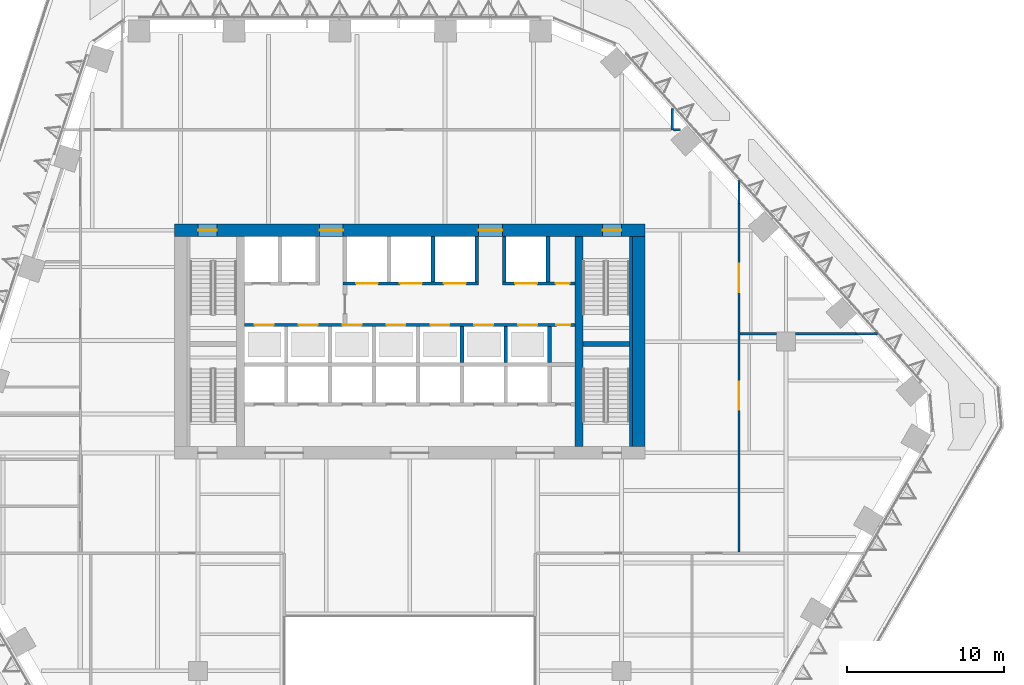
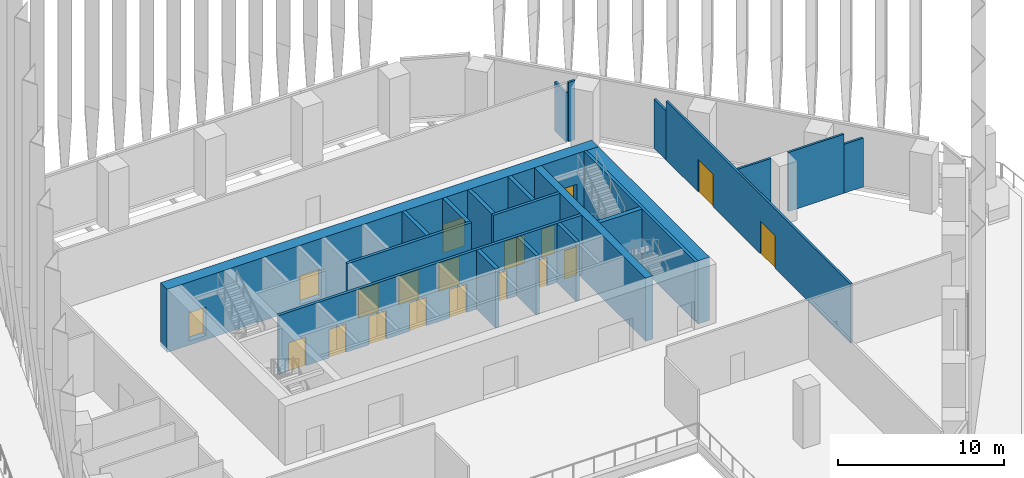
# One storey, part 15 of 27: 22 walls, 19 doors, 19 openings.
"""IFC4 building model written with IfcOpenShell, lengths in metres."""

from ifc_helpers import new_model, si_unit, direction, frame, frame_2d, origin, place, context, subcontext, project, spatial, rectangle, extrude, material, layer, layer_set, type_object, element, fill, save


model = new_model("IFC4")

# Units and contexts
model_context = context("Model", 3, precision=1e-05, world=origin(), true_north=direction((0.0, 1.0)))
body_context = subcontext(model_context, "Body", "Model", "MODEL_VIEW")
ifc_project = project(units=[si_unit("LENGTHUNIT", "METRE"), si_unit("AREAUNIT", "SQUARE_METRE"), si_unit("VOLUMEUNIT", "CUBIC_METRE"), si_unit("PLANEANGLEUNIT", "RADIAN"), si_unit("MASSUNIT", "GRAM", prefix="KILO")], contexts=[model_context])

# Site, building, storey
site_placement = place(None, origin())
site = spatial("IfcSite", under=ifc_project, at=site_placement, CompositionType="ELEMENT")
building_placement = place(site_placement, origin())
building = spatial("IfcBuilding", under=site, at=building_placement, Name="Isthmus Gate Tower", CompositionType="ELEMENT")
storey_placement = place(building_placement, frame((0.0, 0.0, 121.64990234375)))
storey = spatial("IfcBuildingStorey", under=building, at=storey_placement, Name="L29", CompositionType="ELEMENT", Elevation=121.64990234375)

# Walls
ifc_material_1 = material(Name="Gypsum board on cold-formed steel studs", Category="steel")
ifc_layer_1 = layer(ifc_material_1, 0.14990234375)
ifc_layer_set_1 = layer_set([ifc_layer_1])
wall_type_1 = type_object("IfcWallType", Name="Partition 150 gypsum board on steel studs", PredefinedType="PARTITIONING", material=ifc_layer_set_1)
wall_1_placement = place(storey_placement, frame((21.074951171875, 8.0, 0.0), z_axis=(0.0, 0.0, 1.0), x_axis=(1.0, 0.0, 0.0)))
element("IfcWall", 1, at=wall_1_placement, inside=storey, type_object=wall_type_1, Name="Partition", PredefinedType="PARTITIONING", context=body_context, shape_type="SweptSolid", body=[
    extrude(rectangle(XDim=2.324951171875, YDim=0.14990234375, at=frame_2d((1.16259765625, 0.0))), origin(), (0.0, 0.0, 1.0), 4.35009765625),
])
wall_2_placement = place(storey_placement, frame((24.60009765625, 8.0, 0.0), z_axis=(0.0, 0.0, 1.0), x_axis=(1.0, 0.0, 0.0)))
element("IfcWall", 2, at=wall_2_placement, inside=storey, type_object=wall_type_1, Name="Partition", PredefinedType="PARTITIONING", context=body_context, shape_type="SweptSolid", body=[
    extrude(rectangle(XDim=3.87353515625, YDim=0.14990234375, at=frame_2d((1.936767578125, 0.0))), origin(), (0.0, 0.0, 1.0), 4.35009765625),
])
wall_3_placement = place(storey_placement, frame((28.4736328125, 8.0, 0.0), z_axis=(0.0, 0.0, 1.0), x_axis=(1.0, 0.0, 0.0)))
element("IfcWall", 3, at=wall_3_placement, inside=storey, type_object=wall_type_1, Name="Partition", PredefinedType="PARTITIONING", context=body_context, shape_type="SweptSolid", body=[
    extrude(rectangle(XDim=1.347412109375, YDim=0.14990234375, at=frame_2d((0.673828125, 0.0))), origin(), (0.0, 0.0, 1.0), 3.60009765625),
])
wall_4_placement = place(storey_placement, frame((16.804931640625, 21.0, 0.0), z_axis=(0.0, 0.0, 1.0), x_axis=(1.0, 0.0, 0.0)))
element("IfcWall", 4, at=wall_4_placement, inside=storey, type_object=wall_type_1, Name="Partition", PredefinedType="PARTITIONING", context=body_context, shape_type="SweptSolid", body=[
    extrude(rectangle(XDim=0.461181640625, YDim=0.14990234375, at=frame_2d((0.23046875, 0.0))), origin(), (0.0, 0.0, 1.0), 4.35009765625),
])
wall_5_placement = place(storey_placement, frame((16.72998046875, 21.0009765625, 0.0), z_axis=(0.0, 0.0, 1.0), x_axis=(0.0, 1.0, 0.0)))
element("IfcWall", 5, at=wall_5_placement, inside=storey, type_object=wall_type_1, Name="Partition", PredefinedType="PARTITIONING", context=body_context, shape_type="SweptSolid", body=[
    extrude(rectangle(XDim=1.349365234375, YDim=0.14990234375, at=frame_2d((0.6748046875, 0.0))), origin(), (0.0, 0.0, 1.0), 3.60009765625),
])

# Wall, openings, doors
wall_6_placement = place(storey_placement, frame((21.0, -5.925048828125, 0.0), z_axis=(0.0, 0.0, 1.0), x_axis=(0.0, 1.0, 0.0)))
wall_6 = element("IfcWall", 6, at=wall_6_placement, inside=storey, type_object=wall_type_1, Name="Partition", PredefinedType="PARTITIONING", context=body_context, shape_type="SweptSolid", body=[
    extrude(rectangle(XDim=22.225341796875, YDim=0.14990234375, at=frame_2d((11.11279296875, 0.0))), origin(), (0.0, 0.0, 1.0), 4.35009765625),
])
opening_1_placement = place(wall_6_placement, frame((9.074951171875, 0.0, 0.0)))
opening_1 = element("IfcOpeningElement", 7, at=opening_1_placement, cuts=wall_6, Name="Opening DP29-09", PredefinedType="OPENING", context=body_context, shape_type="SweptSolid", body=[
    extrude(rectangle(XDim=1.800048828125, YDim=2.39990234375, at=frame_2d((0.89990234375, 1.199951171875))), frame((0.0, 0.0849609375, 0.0), z_axis=(0.0, -1.0, 0.0), x_axis=(1.0, 0.0, 0.0)), (0.0, 0.0, 1.0), 0.169921875),
])
opening_2_placement = place(wall_6_placement, frame((16.574951171875, 0.0, 0.0)))
opening_2 = element("IfcOpeningElement", 8, at=opening_2_placement, cuts=wall_6, Name="Opening DP29-10", PredefinedType="OPENING", context=body_context, shape_type="SweptSolid", body=[
    extrude(rectangle(XDim=1.800048828125, YDim=2.39990234375, at=frame_2d((0.89990234375, 1.199951171875))), frame((0.0, 0.0849609375, 0.0), z_axis=(0.0, -1.0, 0.0), x_axis=(1.0, 0.0, 0.0)), (0.0, 0.0, 1.0), 0.169921875),
])
ifc_material_2 = material(Name="Hollow metal frame with solid-core timber leaves", Category="wood")
door_type_1 = type_object("IfcDoorType", Name="Double swing door 1800 x 2400", OperationType="DOUBLE_DOOR_SINGLE_SWING", PredefinedType="DOOR", material=ifc_material_2)
door_1_placement = place(opening_1_placement, origin())
door_1 = element("IfcDoor", 9, at=door_1_placement, inside=storey, type_object=door_type_1, Name="Door DP29-09", OperationType="SINGLE_SWING_LEFT", OverallHeight=2.39990234375, OverallWidth=1.800048828125, PredefinedType="DOOR", context=body_context, shape_type="SweptSolid", body=[
    extrude(rectangle(XDim=1.800048828125, YDim=2.39990234375, at=frame_2d((0.89990234375, 1.199951171875))), frame((0.0, 0.02490234375, 0.0), z_axis=(0.0, -1.0, 0.0), x_axis=(1.0, 0.0, 0.0)), (0.0, 0.0, 1.0), 0.050048828125),
])
fill(opening_1, door_1)
door_2_placement = place(opening_2_placement, origin())
door_2 = element("IfcDoor", 10, at=door_2_placement, inside=storey, type_object=door_type_1, Name="Door DP29-10", OperationType="SINGLE_SWING_LEFT", OverallHeight=2.39990234375, OverallWidth=1.800048828125, PredefinedType="DOOR", context=body_context, shape_type="SweptSolid", body=[
    extrude(rectangle(XDim=1.800048828125, YDim=2.39990234375, at=frame_2d((0.89990234375, 1.199951171875))), frame((0.0, 0.02490234375, 0.0), z_axis=(0.0, -1.0, 0.0), x_axis=(1.0, 0.0, 0.0)), (0.0, 0.0, 1.0), 0.050048828125),
])
fill(opening_2, door_2)

# Walls
wall_7_placement = place(storey_placement, frame((21.0, 16.30029296875, 0.0), z_axis=(0.0, 0.0, 1.0), x_axis=(0.0, 1.0, 0.0)))
element("IfcWall", 11, at=wall_7_placement, inside=storey, type_object=wall_type_1, Name="Partition", PredefinedType="PARTITIONING", context=body_context, shape_type="SweptSolid", body=[
    extrude(rectangle(XDim=1.477783203125, YDim=0.14990234375, at=frame_2d((0.73876953125, 0.0))), origin(), (0.0, 0.0, 1.0), 3.60009765625),
])
ifc_material_3 = material(Name="Concrete f'c 60 MPa", Category="concrete")
ifc_layer_2 = layer(ifc_material_3, 0.5)
ifc_layer_set_2 = layer_set([ifc_layer_2], Name="RC CORE SPINE WALL 500 F'C 60")
wall_type_2 = type_object("IfcWallType", Name="RC CORE SPINE WALL 500 F'C 60", PredefinedType="SOLIDWALL", material=ifc_layer_set_2)
wall_8_placement = place(storey_placement, frame((10.800048828125, 0.800048828125, -0.2998046875), z_axis=(0.0, 0.0, 1.0), x_axis=(0.0, 1.0, 0.0)))
element("IfcWall", 12, at=wall_8_placement, inside=storey, type_object=wall_type_2, Name="str-corewall-L29-SPE", PredefinedType="SOLIDWALL", context=body_context, shape_type="SweptSolid", body=[
    extrude(rectangle(XDim=13.39990234375, YDim=0.5, at=frame_2d((6.699951171875, 0.0))), origin(), (0.0, 0.0, 1.0), 4.64990234375),
])

# Wall, openings, doors
ifc_material_4 = material(Name="Concrete f'c 60 MPa", Category="concrete")
ifc_layer_3 = layer(ifc_material_4, 0.800048828125)
ifc_layer_set_3 = layer_set([ifc_layer_3], Name="RC CORE WALL 800 F'C 60")
wall_type_3 = type_object("IfcWallType", Name="RC CORE WALL 800 F'C 60", PredefinedType="SOLIDWALL", material=ifc_layer_set_3)
wall_9_placement = place(storey_placement, frame((-15.0, 14.60009765625, -0.2998046875), z_axis=(0.0, 0.0, 1.0), x_axis=(1.0, 0.0, 0.0)))
wall_9 = element("IfcWall", 13, at=wall_9_placement, inside=storey, type_object=wall_type_3, Name="str-corewall-L29-N", PredefinedType="SOLIDWALL", context=body_context, shape_type="SweptSolid", body=[
    extrude(rectangle(XDim=30.0, YDim=0.800048828125, at=frame_2d((15.0, 0.0))), origin(), (0.0, 0.0, 1.0), 4.64990234375),
])
opening_3_placement = place(wall_9_placement, frame((9.25, 0.0, 0.300048828125)))
opening_3 = element("IfcOpeningElement", 14, at=opening_3_placement, cuts=wall_9, Name="Opening DC-A08-08", PredefinedType="OPENING", context=body_context, shape_type="SweptSolid", body=[
    extrude(rectangle(XDim=1.5, YDim=2.10009765625, at=frame_2d((0.75, 1.050048828125))), frame((0.0, 0.409912109375, 0.0), z_axis=(0.0, -1.0, 0.0), x_axis=(1.0, 0.0, 0.0)), (0.0, 0.0, 1.0), 0.820068359375),
])
opening_4_placement = place(wall_9_placement, frame((19.39990234375, 0.0, 0.300048828125)))
opening_4 = element("IfcOpeningElement", 15, at=opening_4_placement, cuts=wall_9, Name="Opening DC-A08-09", PredefinedType="OPENING", context=body_context, shape_type="SweptSolid", body=[
    extrude(rectangle(XDim=1.5, YDim=2.10009765625, at=frame_2d((0.75, 1.050048828125))), frame((0.0, 0.409912109375, 0.0), z_axis=(0.0, -1.0, 0.0), x_axis=(1.0, 0.0, 0.0)), (0.0, 0.0, 1.0), 0.820068359375),
])
opening_5_placement = place(wall_9_placement, frame((1.5, 0.0, 0.300048828125)))
opening_5 = element("IfcOpeningElement", 16, at=opening_5_placement, cuts=wall_9, Name="Opening DC-A08-10", PredefinedType="OPENING", context=body_context, shape_type="SweptSolid", body=[
    extrude(rectangle(XDim=1.199951171875, YDim=2.10009765625, at=frame_2d((0.60009765625, 1.050048828125))), frame((0.0, 0.409912109375, 0.0), z_axis=(0.0, -1.0, 0.0), x_axis=(1.0, 0.0, 0.0)), (0.0, 0.0, 1.0), 0.820068359375),
])
opening_6_placement = place(wall_9_placement, frame((27.300048828125, 0.0, 0.300048828125)))
opening_6 = element("IfcOpeningElement", 17, at=opening_6_placement, cuts=wall_9, Name="Opening DC-A08-11", PredefinedType="OPENING", context=body_context, shape_type="SweptSolid", body=[
    extrude(rectangle(XDim=1.199951171875, YDim=2.10009765625, at=frame_2d((0.60009765625, 1.050048828125))), frame((0.0, 0.409912109375, 0.0), z_axis=(0.0, -1.0, 0.0), x_axis=(1.0, 0.0, 0.0)), (0.0, 0.0, 1.0), 0.820068359375),
])
ifc_material_5 = material(Name="Steel door leaf, fire-rated", Category="steel")
door_type_2 = type_object("IfcDoorType", Name="LOBBY FIRE DOOR 1500 X 2100 60 MIN", OperationType="DOUBLE_DOOR_SINGLE_SWING", PredefinedType="DOOR", material=ifc_material_5)
door_3_placement = place(opening_4_placement, origin())
door_3 = element("IfcDoor", 18, at=door_3_placement, inside=storey, type_object=door_type_2, Name="Lobby Door PN-E", OperationType="DOUBLE_DOOR_SINGLE_SWING", OverallHeight=2.10009765625, OverallWidth=1.5, PredefinedType="DOOR", context=body_context, shape_type="SweptSolid", body=[
    extrude(rectangle(XDim=1.5, YDim=2.10009765625, at=frame_2d((0.75, 1.050048828125))), frame((0.0, 0.02490234375, 0.0), z_axis=(0.0, -1.0, 0.0), x_axis=(1.0, 0.0, 0.0)), (0.0, 0.0, 1.0), 0.050048828125),
])
fill(opening_4, door_3)
ifc_material_6 = material(Name="Steel door leaf, fire-rated", Category="steel")
door_type_3 = type_object("IfcDoorType", Name="LOBBY FIRE DOOR 1500 X 2100 90 MIN", OperationType="DOUBLE_DOOR_SINGLE_SWING", PredefinedType="DOOR", material=ifc_material_6)
door_4_placement = place(opening_3_placement, origin())
door_4 = element("IfcDoor", 19, at=door_4_placement, inside=storey, type_object=door_type_3, Name="Lobby Door PN-W", OperationType="DOUBLE_DOOR_SINGLE_SWING", OverallHeight=2.10009765625, OverallWidth=1.5, PredefinedType="DOOR", context=body_context, shape_type="SweptSolid", body=[
    extrude(rectangle(XDim=1.5, YDim=2.10009765625, at=frame_2d((0.75, 1.050048828125))), frame((0.0, 0.02490234375, 0.0), z_axis=(0.0, -1.0, 0.0), x_axis=(1.0, 0.0, 0.0)), (0.0, 0.0, 1.0), 0.050048828125),
])
fill(opening_3, door_4)
ifc_material_7 = material(Name="Steel door leaf, fire-rated", Category="steel")
door_type_4 = type_object("IfcDoorType", Name="STAIR FIRE DOOR 1200 X 2100 90 MIN", OperationType="SINGLE_SWING_LEFT", PredefinedType="DOOR", material=ifc_material_7)
door_5_placement = place(opening_5_placement, origin())
door_5 = element("IfcDoor", 20, at=door_5_placement, inside=storey, type_object=door_type_4, Name="Exit Stair 1 Door", OperationType="SINGLE_SWING_RIGHT", OverallHeight=2.10009765625, OverallWidth=1.199951171875, PredefinedType="DOOR", context=body_context, shape_type="SweptSolid", body=[
    extrude(rectangle(XDim=1.199951171875, YDim=2.10009765625, at=frame_2d((0.60009765625, 1.050048828125))), frame((0.0, 0.02490234375, 0.0), z_axis=(0.0, -1.0, 0.0), x_axis=(1.0, 0.0, 0.0)), (0.0, 0.0, 1.0), 0.050048828125),
])
fill(opening_5, door_5)
door_6_placement = place(opening_6_placement, origin())
door_6 = element("IfcDoor", 21, at=door_6_placement, inside=storey, type_object=door_type_4, Name="Exit Stair 2 Door", OperationType="SINGLE_SWING_LEFT", OverallHeight=2.10009765625, OverallWidth=1.199951171875, PredefinedType="DOOR", context=body_context, shape_type="SweptSolid", body=[
    extrude(rectangle(XDim=1.199951171875, YDim=2.10009765625, at=frame_2d((0.60009765625, 1.050048828125))), frame((0.0, 0.02490234375, 0.0), z_axis=(0.0, -1.0, 0.0), x_axis=(1.0, 0.0, 0.0)), (0.0, 0.0, 1.0), 0.050048828125),
])
fill(opening_6, door_6)

# Wall
wall_10_placement = place(storey_placement, frame((14.60009765625, 0.800048828125, -0.2998046875), z_axis=(0.0, 0.0, 1.0), x_axis=(0.0, 1.0, 0.0)))
element("IfcWall", 22, at=wall_10_placement, inside=storey, type_object=wall_type_3, Name="str-corewall-L29-E", PredefinedType="SOLIDWALL", context=body_context, shape_type="SweptSolid", body=[
    extrude(rectangle(XDim=13.39990234375, YDim=0.800048828125, at=frame_2d((6.699951171875, 0.0))), origin(), (0.0, 0.0, 1.0), 4.64990234375),
])

# Wall, openings, doors
ifc_material_8 = material(Name="Fire-rated blockwork masonry, 15 MPa", Category="masonry")
ifc_layer_4 = layer(ifc_material_8, 0.199951171875)
ifc_layer_set_4 = layer_set([ifc_layer_4], Name="SHAFT FRONT WALL 200 120 MIN")
wall_type_4 = type_object("IfcWallType", Name="SHAFT FRONT WALL 200 120 MIN", PredefinedType="PARTITIONING", material=ifc_layer_set_4)
wall_11_placement = place(storey_placement, frame((-10.550048828125, 8.550048828125, 0.0), z_axis=(0.0, 0.0, 1.0), x_axis=(1.0, 0.0, 0.0)))
wall_11 = element("IfcWall", 23, at=wall_11_placement, inside=storey, type_object=wall_type_4, Name="L29 SHAFT FRONT WALL 200 120 MIN", PredefinedType="PARTITIONING", context=body_context, shape_type="SweptSolid", body=[
    extrude(rectangle(XDim=21.10009765625, YDim=0.199951171875, at=frame_2d((10.550048828125, 0.0))), origin(), (0.0, 0.0, 1.0), 4.35009765625),
])
opening_7_placement = place(wall_11_placement, frame((0.675048828125, 0.0, 0.0)))
opening_7 = element("IfcOpeningElement", 24, at=opening_7_placement, cuts=wall_11, Name="Opening LD-LB1", PredefinedType="OPENING", context=body_context, shape_type="SweptSolid", body=[
    extrude(rectangle(XDim=1.199951171875, YDim=2.10009765625, at=frame_2d((0.60009765625, 1.050048828125))), frame((0.0, 0.10986328125, 0.0), z_axis=(0.0, -1.0, 0.0), x_axis=(1.0, 0.0, 0.0)), (0.0, 0.0, 1.0), 0.219970703125),
])
opening_8_placement = place(wall_11_placement, frame((3.47509765625, 0.0, 0.0)))
opening_8 = element("IfcOpeningElement", 25, at=opening_8_placement, cuts=wall_11, Name="Opening LD-LB2", PredefinedType="OPENING", context=body_context, shape_type="SweptSolid", body=[
    extrude(rectangle(XDim=1.199951171875, YDim=2.10009765625, at=frame_2d((0.60009765625, 1.050048828125))), frame((0.0, 0.10986328125, 0.0), z_axis=(0.0, -1.0, 0.0), x_axis=(1.0, 0.0, 0.0)), (0.0, 0.0, 1.0), 0.219970703125),
])
opening_9_placement = place(wall_11_placement, frame((6.27490234375, 0.0, 0.0)))
opening_9 = element("IfcOpeningElement", 26, at=opening_9_placement, cuts=wall_11, Name="Opening LD-LB3", PredefinedType="OPENING", context=body_context, shape_type="SweptSolid", body=[
    extrude(rectangle(XDim=1.199951171875, YDim=2.10009765625, at=frame_2d((0.60009765625, 1.050048828125))), frame((0.0, 0.10986328125, 0.0), z_axis=(0.0, -1.0, 0.0), x_axis=(1.0, 0.0, 0.0)), (0.0, 0.0, 1.0), 0.219970703125),
])
opening_10_placement = place(wall_11_placement, frame((9.074951171875, 0.0, 0.0)))
opening_10 = element("IfcOpeningElement", 27, at=opening_10_placement, cuts=wall_11, Name="Opening LD-LB4", PredefinedType="OPENING", context=body_context, shape_type="SweptSolid", body=[
    extrude(rectangle(XDim=1.199951171875, YDim=2.10009765625, at=frame_2d((0.60009765625, 1.050048828125))), frame((0.0, 0.10986328125, 0.0), z_axis=(0.0, -1.0, 0.0), x_axis=(1.0, 0.0, 0.0)), (0.0, 0.0, 1.0), 0.219970703125),
])
opening_11_placement = place(wall_11_placement, frame((11.875, 0.0, 0.0)))
opening_11 = element("IfcOpeningElement", 28, at=opening_11_placement, cuts=wall_11, Name="Opening LD-LB5", PredefinedType="OPENING", context=body_context, shape_type="SweptSolid", body=[
    extrude(rectangle(XDim=1.199951171875, YDim=2.10009765625, at=frame_2d((0.60009765625, 1.050048828125))), frame((0.0, 0.10986328125, 0.0), z_axis=(0.0, -1.0, 0.0), x_axis=(1.0, 0.0, 0.0)), (0.0, 0.0, 1.0), 0.219970703125),
])
opening_12_placement = place(wall_11_placement, frame((14.675048828125, 0.0, 0.0)))
opening_12 = element("IfcOpeningElement", 29, at=opening_12_placement, cuts=wall_11, Name="Opening LD-LB6", PredefinedType="OPENING", context=body_context, shape_type="SweptSolid", body=[
    extrude(rectangle(XDim=1.199951171875, YDim=2.10009765625, at=frame_2d((0.60009765625, 1.050048828125))), frame((0.0, 0.10986328125, 0.0), z_axis=(0.0, -1.0, 0.0), x_axis=(1.0, 0.0, 0.0)), (0.0, 0.0, 1.0), 0.219970703125),
])
opening_13_placement = place(wall_11_placement, frame((17.47509765625, 0.0, 0.0)))
opening_13 = element("IfcOpeningElement", 30, at=opening_13_placement, cuts=wall_11, Name="Opening LD-LB7", PredefinedType="OPENING", context=body_context, shape_type="SweptSolid", body=[
    extrude(rectangle(XDim=1.199951171875, YDim=2.10009765625, at=frame_2d((0.60009765625, 1.050048828125))), frame((0.0, 0.10986328125, 0.0), z_axis=(0.0, -1.0, 0.0), x_axis=(1.0, 0.0, 0.0)), (0.0, 0.0, 1.0), 0.219970703125),
])
opening_14_placement = place(wall_11_placement, frame((19.89990234375, 0.0, 0.0)))
opening_14 = element("IfcOpeningElement", 31, at=opening_14_placement, cuts=wall_11, Name="Opening DC-A08-03", PredefinedType="OPENING", context=body_context, shape_type="SweptSolid", body=[
    extrude(rectangle(XDim=0.89990234375, YDim=2.10009765625, at=frame_2d((0.449951171875, 1.050048828125))), frame((0.0, 0.10986328125, 0.0), z_axis=(0.0, -1.0, 0.0), x_axis=(1.0, 0.0, 0.0)), (0.0, 0.0, 1.0), 0.219970703125),
])
ifc_material_9 = material(Name="Stainless steel sliding leaf", Category="steel")
door_type_5 = type_object("IfcDoorType", Name="LIFT LANDING FIRE DOOR 1200 X 2100 90 MIN", OperationType="DOUBLE_DOOR_SLIDING", PredefinedType="DOOR", material=ifc_material_9)
door_7_placement = place(opening_7_placement, origin())
door_7 = element("IfcDoor", 32, at=door_7_placement, inside=storey, type_object=door_type_5, Name="Lift Landing Door LB1", OperationType="DOUBLE_DOOR_SLIDING", OverallHeight=2.10009765625, OverallWidth=1.199951171875, PredefinedType="DOOR", context=body_context, shape_type="SweptSolid", body=[
    extrude(rectangle(XDim=1.199951171875, YDim=2.10009765625, at=frame_2d((0.60009765625, 1.050048828125))), frame((0.0, 0.02490234375, 0.0), z_axis=(0.0, -1.0, 0.0), x_axis=(1.0, 0.0, 0.0)), (0.0, 0.0, 1.0), 0.050048828125),
])
fill(opening_7, door_7)
door_8_placement = place(opening_8_placement, origin())
door_8 = element("IfcDoor", 33, at=door_8_placement, inside=storey, type_object=door_type_5, Name="Lift Landing Door LB2", OperationType="DOUBLE_DOOR_SLIDING", OverallHeight=2.10009765625, OverallWidth=1.199951171875, PredefinedType="DOOR", context=body_context, shape_type="SweptSolid", body=[
    extrude(rectangle(XDim=1.199951171875, YDim=2.10009765625, at=frame_2d((0.60009765625, 1.050048828125))), frame((0.0, 0.02490234375, 0.0), z_axis=(0.0, -1.0, 0.0), x_axis=(1.0, 0.0, 0.0)), (0.0, 0.0, 1.0), 0.050048828125),
])
fill(opening_8, door_8)
door_9_placement = place(opening_9_placement, origin())
door_9 = element("IfcDoor", 34, at=door_9_placement, inside=storey, type_object=door_type_5, Name="Lift Landing Door LB3", OperationType="DOUBLE_DOOR_SLIDING", OverallHeight=2.10009765625, OverallWidth=1.199951171875, PredefinedType="DOOR", context=body_context, shape_type="SweptSolid", body=[
    extrude(rectangle(XDim=1.199951171875, YDim=2.10009765625, at=frame_2d((0.60009765625, 1.050048828125))), frame((0.0, 0.02490234375, 0.0), z_axis=(0.0, -1.0, 0.0), x_axis=(1.0, 0.0, 0.0)), (0.0, 0.0, 1.0), 0.050048828125),
])
fill(opening_9, door_9)
door_10_placement = place(opening_10_placement, origin())
door_10 = element("IfcDoor", 35, at=door_10_placement, inside=storey, type_object=door_type_5, Name="Lift Landing Door LB4", OperationType="DOUBLE_DOOR_SLIDING", OverallHeight=2.10009765625, OverallWidth=1.199951171875, PredefinedType="DOOR", context=body_context, shape_type="SweptSolid", body=[
    extrude(rectangle(XDim=1.199951171875, YDim=2.10009765625, at=frame_2d((0.60009765625, 1.050048828125))), frame((0.0, 0.02490234375, 0.0), z_axis=(0.0, -1.0, 0.0), x_axis=(1.0, 0.0, 0.0)), (0.0, 0.0, 1.0), 0.050048828125),
])
fill(opening_10, door_10)
door_11_placement = place(opening_11_placement, origin())
door_11 = element("IfcDoor", 36, at=door_11_placement, inside=storey, type_object=door_type_5, Name="Lift Landing Door LB5", OperationType="DOUBLE_DOOR_SLIDING", OverallHeight=2.10009765625, OverallWidth=1.199951171875, PredefinedType="DOOR", context=body_context, shape_type="SweptSolid", body=[
    extrude(rectangle(XDim=1.199951171875, YDim=2.10009765625, at=frame_2d((0.60009765625, 1.050048828125))), frame((0.0, 0.02490234375, 0.0), z_axis=(0.0, -1.0, 0.0), x_axis=(1.0, 0.0, 0.0)), (0.0, 0.0, 1.0), 0.050048828125),
])
fill(opening_11, door_11)
door_12_placement = place(opening_12_placement, origin())
door_12 = element("IfcDoor", 37, at=door_12_placement, inside=storey, type_object=door_type_5, Name="Lift Landing Door LB6", OperationType="DOUBLE_DOOR_SLIDING", OverallHeight=2.10009765625, OverallWidth=1.199951171875, PredefinedType="DOOR", context=body_context, shape_type="SweptSolid", body=[
    extrude(rectangle(XDim=1.199951171875, YDim=2.10009765625, at=frame_2d((0.60009765625, 1.050048828125))), frame((0.0, 0.02490234375, 0.0), z_axis=(0.0, -1.0, 0.0), x_axis=(1.0, 0.0, 0.0)), (0.0, 0.0, 1.0), 0.050048828125),
])
fill(opening_12, door_12)
door_13_placement = place(opening_13_placement, origin())
door_13 = element("IfcDoor", 38, at=door_13_placement, inside=storey, type_object=door_type_5, Name="Lift Landing Door LB7", OperationType="DOUBLE_DOOR_SLIDING", OverallHeight=2.10009765625, OverallWidth=1.199951171875, PredefinedType="DOOR", context=body_context, shape_type="SweptSolid", body=[
    extrude(rectangle(XDim=1.199951171875, YDim=2.10009765625, at=frame_2d((0.60009765625, 1.050048828125))), frame((0.0, 0.02490234375, 0.0), z_axis=(0.0, -1.0, 0.0), x_axis=(1.0, 0.0, 0.0)), (0.0, 0.0, 1.0), 0.050048828125),
])
fill(opening_13, door_13)
ifc_material_10 = material(Name="Steel door leaf, fire-rated", Category="steel")
door_type_6 = type_object("IfcDoorType", Name="RISER FIRE DOOR 900 X 2100 90 MIN", OperationType="SINGLE_SWING_LEFT", PredefinedType="DOOR", material=ifc_material_10)
door_14_placement = place(opening_14_placement, origin())
door_14 = element("IfcDoor", 39, at=door_14_placement, inside=storey, type_object=door_type_6, Name="Riser Door", OperationType="SINGLE_SWING_RIGHT", OverallHeight=2.10009765625, OverallWidth=0.89990234375, PredefinedType="DOOR", context=body_context, shape_type="SweptSolid", body=[
    extrude(rectangle(XDim=0.89990234375, YDim=2.10009765625, at=frame_2d((0.449951171875, 1.050048828125))), frame((0.0, 0.02490234375, 0.0), z_axis=(0.0, -1.0, 0.0), x_axis=(1.0, 0.0, 0.0)), (0.0, 0.0, 1.0), 0.050048828125),
])
fill(opening_14, door_14)

wall_12_placement = place(storey_placement, frame((-4.25, 11.199951171875, 0.0), z_axis=(0.0, 0.0, 1.0), x_axis=(1.0, 0.0, 0.0)))
wall_12 = element("IfcWall", 40, at=wall_12_placement, inside=storey, type_object=wall_type_4, Name="L29 SHAFT FRONT WALL 200 120 MIN", PredefinedType="PARTITIONING", context=body_context, shape_type="SweptSolid", body=[
    extrude(rectangle(XDim=8.64990234375, YDim=0.199951171875, at=frame_2d((4.324951171875, 0.0))), origin(), (0.0, 0.0, 1.0), 4.35009765625),
])
opening_15_placement = place(wall_12_placement, frame((0.824951171875, 0.0, 0.0)))
opening_15 = element("IfcOpeningElement", 41, at=opening_15_placement, cuts=wall_12, Name="Opening LD-LV1", PredefinedType="OPENING", context=body_context, shape_type="SweptSolid", body=[
    extrude(rectangle(XDim=1.39990234375, YDim=2.10009765625, at=frame_2d((0.699951171875, 1.050048828125))), frame((0.0, 0.10986328125, 0.0), z_axis=(0.0, -1.0, 0.0), x_axis=(1.0, 0.0, 0.0)), (0.0, 0.0, 1.0), 0.219970703125),
])
opening_16_placement = place(wall_12_placement, frame((3.625, 0.0, 0.0)))
opening_16 = element("IfcOpeningElement", 42, at=opening_16_placement, cuts=wall_12, Name="Opening LD-LV2", PredefinedType="OPENING", context=body_context, shape_type="SweptSolid", body=[
    extrude(rectangle(XDim=1.39990234375, YDim=2.10009765625, at=frame_2d((0.699951171875, 1.050048828125))), frame((0.0, 0.10986328125, 0.0), z_axis=(0.0, -1.0, 0.0), x_axis=(1.0, 0.0, 0.0)), (0.0, 0.0, 1.0), 0.219970703125),
])
opening_17_placement = place(wall_12_placement, frame((6.425048828125, 0.0, 0.0)))
opening_17 = element("IfcOpeningElement", 43, at=opening_17_placement, cuts=wall_12, Name="Opening LD-LS1", PredefinedType="OPENING", context=body_context, shape_type="SweptSolid", body=[
    extrude(rectangle(XDim=1.39990234375, YDim=2.10009765625, at=frame_2d((0.699951171875, 1.050048828125))), frame((0.0, 0.10986328125, 0.0), z_axis=(0.0, -1.0, 0.0), x_axis=(1.0, 0.0, 0.0)), (0.0, 0.0, 1.0), 0.219970703125),
])
ifc_material_11 = material(Name="Stainless steel sliding leaf", Category="steel")
door_type_7 = type_object("IfcDoorType", Name="LIFT LANDING FIRE DOOR 1400 X 2100 90 MIN", OperationType="DOUBLE_DOOR_SLIDING", PredefinedType="DOOR", material=ifc_material_11)
door_15_placement = place(opening_15_placement, origin())
door_15 = element("IfcDoor", 44, at=door_15_placement, inside=storey, type_object=door_type_7, Name="Lift Landing Door LV1", OperationType="DOUBLE_DOOR_SLIDING", OverallHeight=2.10009765625, OverallWidth=1.39990234375, PredefinedType="DOOR", context=body_context, shape_type="SweptSolid", body=[
    extrude(rectangle(XDim=1.39990234375, YDim=2.10009765625, at=frame_2d((0.699951171875, 1.050048828125))), frame((0.0, 0.02490234375, 0.0), z_axis=(0.0, -1.0, 0.0), x_axis=(1.0, 0.0, 0.0)), (0.0, 0.0, 1.0), 0.050048828125),
])
fill(opening_15, door_15)
door_16_placement = place(opening_16_placement, origin())
door_16 = element("IfcDoor", 45, at=door_16_placement, inside=storey, type_object=door_type_7, Name="Lift Landing Door LV2", OperationType="DOUBLE_DOOR_SLIDING", OverallHeight=2.10009765625, OverallWidth=1.39990234375, PredefinedType="DOOR", context=body_context, shape_type="SweptSolid", body=[
    extrude(rectangle(XDim=1.39990234375, YDim=2.10009765625, at=frame_2d((0.699951171875, 1.050048828125))), frame((0.0, 0.02490234375, 0.0), z_axis=(0.0, -1.0, 0.0), x_axis=(1.0, 0.0, 0.0)), (0.0, 0.0, 1.0), 0.050048828125),
])
fill(opening_16, door_16)
door_17_placement = place(opening_17_placement, origin())
door_17 = element("IfcDoor", 46, at=door_17_placement, inside=storey, type_object=door_type_7, Name="Lift Landing Door LS1", OperationType="DOUBLE_DOOR_SLIDING", OverallHeight=2.10009765625, OverallWidth=1.39990234375, PredefinedType="DOOR", context=body_context, shape_type="SweptSolid", body=[
    extrude(rectangle(XDim=1.39990234375, YDim=2.10009765625, at=frame_2d((0.699951171875, 1.050048828125))), frame((0.0, 0.02490234375, 0.0), z_axis=(0.0, -1.0, 0.0), x_axis=(1.0, 0.0, 0.0)), (0.0, 0.0, 1.0), 0.050048828125),
])
fill(opening_17, door_17)

wall_13_placement = place(storey_placement, frame((5.89990234375, 11.199951171875, 0.0), z_axis=(0.0, 0.0, 1.0), x_axis=(1.0, 0.0, 0.0)))
wall_13 = element("IfcWall", 47, at=wall_13_placement, inside=storey, type_object=wall_type_4, Name="L29 SHAFT FRONT WALL 200 120 MIN", PredefinedType="PARTITIONING", context=body_context, shape_type="SweptSolid", body=[
    extrude(rectangle(XDim=4.650146484375, YDim=0.199951171875, at=frame_2d((2.3251953125, 0.0))), origin(), (0.0, 0.0, 1.0), 4.35009765625),
])
opening_18_placement = place(wall_13_placement, frame((0.824951171875, 0.0, 0.0)))
opening_18 = element("IfcOpeningElement", 48, at=opening_18_placement, cuts=wall_13, Name="Opening LD-LS2", PredefinedType="OPENING", context=body_context, shape_type="SweptSolid", body=[
    extrude(rectangle(XDim=1.39990234375, YDim=2.10009765625, at=frame_2d((0.699951171875, 1.050048828125))), frame((0.0, 0.10986328125, 0.0), z_axis=(0.0, -1.0, 0.0), x_axis=(1.0, 0.0, 0.0)), (0.0, 0.0, 1.0), 0.219970703125),
])
opening_19_placement = place(wall_13_placement, frame((3.39990234375, 0.0, 0.0)))
opening_19 = element("IfcOpeningElement", 49, at=opening_19_placement, cuts=wall_13, Name="Opening DC-A08-04", PredefinedType="OPENING", context=body_context, shape_type="SweptSolid", body=[
    extrude(rectangle(XDim=0.89990234375, YDim=2.10009765625, at=frame_2d((0.449951171875, 1.050048828125))), frame((0.0, 0.10986328125, 0.0), z_axis=(0.0, -1.0, 0.0), x_axis=(1.0, 0.0, 0.0)), (0.0, 0.0, 1.0), 0.219970703125),
])
door_18_placement = place(opening_18_placement, origin())
door_18 = element("IfcDoor", 50, at=door_18_placement, inside=storey, type_object=door_type_7, Name="Lift Landing Door LS2", OperationType="DOUBLE_DOOR_SLIDING", OverallHeight=2.10009765625, OverallWidth=1.39990234375, PredefinedType="DOOR", context=body_context, shape_type="SweptSolid", body=[
    extrude(rectangle(XDim=1.39990234375, YDim=2.10009765625, at=frame_2d((0.699951171875, 1.050048828125))), frame((0.0, 0.02490234375, 0.0), z_axis=(0.0, -1.0, 0.0), x_axis=(1.0, 0.0, 0.0)), (0.0, 0.0, 1.0), 0.050048828125),
])
fill(opening_18, door_18)
door_19_placement = place(opening_19_placement, origin())
door_19 = element("IfcDoor", 51, at=door_19_placement, inside=storey, type_object=door_type_6, Name="Riser Door", OperationType="SINGLE_SWING_LEFT", OverallHeight=2.10009765625, OverallWidth=0.89990234375, PredefinedType="DOOR", context=body_context, shape_type="SweptSolid", body=[
    extrude(rectangle(XDim=0.89990234375, YDim=2.10009765625, at=frame_2d((0.449951171875, 1.050048828125))), frame((0.0, 0.02490234375, 0.0), z_axis=(0.0, -1.0, 0.0), x_axis=(1.0, 0.0, 0.0)), (0.0, 0.0, 1.0), 0.050048828125),
])
fill(opening_19, door_19)

# Walls
ifc_material_12 = material(Name="Fire-rated blockwork masonry, 15 MPa", Category="masonry")
ifc_layer_5 = layer(ifc_material_12, 0.25)
ifc_layer_set_5 = layer_set([ifc_layer_5], Name="SHAFT WALL 250 120 MIN")
wall_type_5 = type_object("IfcWallType", Name="SHAFT WALL 250 120 MIN", PredefinedType="PARTITIONING", material=ifc_layer_set_5)
for number, where, z_axis, x_axis, name in (
    (52, (3.324951171875, 6.14990234375, 0.0), (0.0, 0.0, 1.0), (0.0, 1.0, 0.0), "L29 SHAFT WALL 250 120 MIN"),
    (53, (6.125, 6.14990234375, 0.0), (0.0, 0.0, 1.0), (0.0, 1.0, 0.0), "L29 SHAFT WALL 250 120 MIN"),
    (54, (8.925048828125, 6.14990234375, 0.0), (0.0, 0.0, 1.0), (0.0, 1.0, 0.0), "L29 SHAFT WALL 250 120 MIN"),
):
    element("IfcWall", number, at=place(storey_placement, frame(where, z_axis=z_axis, x_axis=x_axis)), inside=storey, type_object=wall_type_5, Name=name, PredefinedType="PARTITIONING", context=body_context, shape_type="SweptSolid", body=[
        extrude(rectangle(XDim=2.300048828125, YDim=0.25, at=frame_2d((1.14990234375, 0.0))), origin(), (0.0, 0.0, 1.0), 4.35009765625),
    ])
for number, where, z_axis, x_axis, name in (
    (55, (1.47509765625, 11.300048828125, 0.0), (0.0, 0.0, 1.0), (0.0, 1.0, 0.0), "L29 SHAFT WALL 250 120 MIN"),
    (56, (4.27490234375, 11.300048828125, 0.0), (0.0, 0.0, 1.0), (0.0, 1.0, 0.0), "L29 SHAFT WALL 250 120 MIN"),
    (57, (6.02490234375, 11.300048828125, 0.0), (0.0, 0.0, 1.0), (0.0, 1.0, 0.0), "L29 SHAFT WALL 250 120 MIN"),
    (58, (8.824951171875, 11.300048828125, 0.0), (0.0, 0.0, 1.0), (0.0, 1.0, 0.0), "L29 SHAFT WALL 250 120 MIN"),
):
    element("IfcWall", number, at=place(storey_placement, frame(where, z_axis=z_axis, x_axis=x_axis)), inside=storey, type_object=wall_type_5, Name=name, PredefinedType="PARTITIONING", context=body_context, shape_type="SweptSolid", body=[
        extrude(rectangle(XDim=2.89990234375, YDim=0.25, at=frame_2d((1.449951171875, 0.0))), origin(), (0.0, 0.0, 1.0), 4.35009765625),
    ])
ifc_material_13 = material(Name="Concrete f'c 40 MPa", Category="concrete")
ifc_layer_6 = layer(ifc_material_13, 0.199951171875)
ifc_layer_set_6 = layer_set([ifc_layer_6], Name="STAIR ENCLOSURE WALL 200 180 MIN")
wall_type_6 = type_object("IfcWallType", Name="STAIR ENCLOSURE WALL 200 180 MIN", PredefinedType="SOLIDWALL", material=ifc_layer_set_6)
wall_14_placement = place(storey_placement, frame((14.10009765625, 0.800048828125, 0.0), z_axis=(0.0, 0.0, 1.0), x_axis=(0.0, 1.0, 0.0)))
element("IfcWall", 59, at=wall_14_placement, inside=storey, type_object=wall_type_6, Name="L29 STAIR ENCLOSURE WALL 200 180 MIN", PredefinedType="SOLIDWALL", context=body_context, shape_type="SweptSolid", body=[
    extrude(rectangle(XDim=13.39990234375, YDim=0.199951171875, at=frame_2d((6.699951171875, 0.0))), origin(), (0.0, 0.0, 1.0), 4.35009765625),
])
ifc_material_14 = material(Name="Concrete f'c 40 MPa", Category="concrete")
ifc_layer_7 = layer(ifc_material_14, 0.300048828125)
ifc_layer_set_7 = layer_set([ifc_layer_7], Name="STAIR ENCLOSURE WALL 300 180 MIN")
wall_type_7 = type_object("IfcWallType", Name="STAIR ENCLOSURE WALL 300 180 MIN", PredefinedType="SOLIDWALL", material=ifc_layer_set_7)
wall_15_placement = place(storey_placement, frame((11.050048828125, 7.35009765625, 0.0), z_axis=(0.0, 0.0, 1.0), x_axis=(1.0, 0.0, 0.0)))
element("IfcWall", 60, at=wall_15_placement, inside=storey, type_object=wall_type_7, Name="L29 STAIR ENCLOSURE WALL 300 180 MIN", PredefinedType="SOLIDWALL", context=body_context, shape_type="SweptSolid", body=[
    extrude(rectangle(XDim=2.949951171875, YDim=0.300048828125, at=frame_2d((1.47509765625, 0.0))), origin(), (0.0, 0.0, 1.0), 4.35009765625),
])

save(model, "model.ifc")
